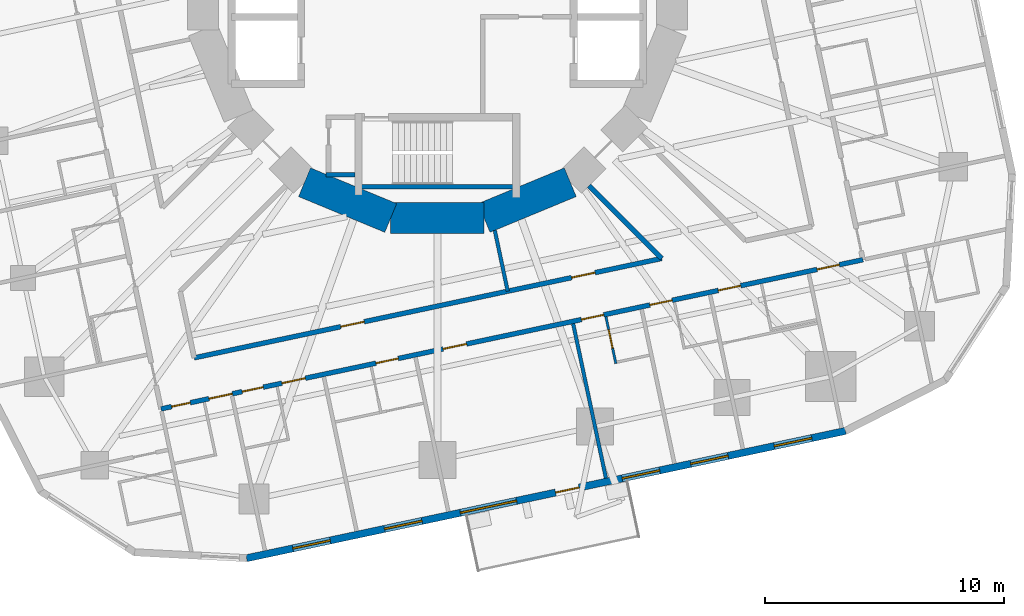
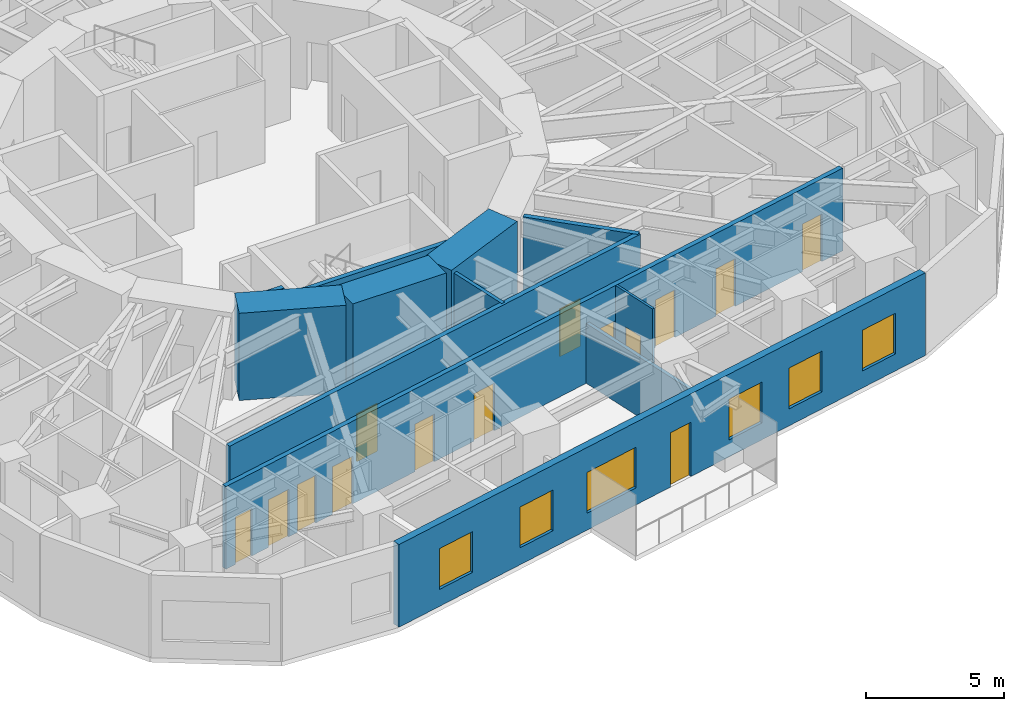
# One storey, part 5 of 14: 14 doors, 12 walls, 6 windows, 20 openings.
"""IFC4 building model written with IfcOpenShell, lengths in metres."""

from ifc_helpers import new_model, si_unit, direction, frame, frame_2d, origin, place, context, subcontext, project, spatial, rectangle, extrude, material, layer, layer_set, type_object, element, fill, save


model = new_model("IFC4")

# Units and contexts
model_context = context("Model", 3, precision=1e-05, world=origin(), true_north=direction((0.0, 1.0)))
body_context = subcontext(model_context, "Body", "Model", "MODEL_VIEW")
ifc_project = project(units=[si_unit("LENGTHUNIT", "METRE"), si_unit("AREAUNIT", "SQUARE_METRE"), si_unit("VOLUMEUNIT", "CUBIC_METRE"), si_unit("PLANEANGLEUNIT", "RADIAN"), si_unit("MASSUNIT", "GRAM", prefix="KILO")], contexts=[model_context])

# Site, building, storey
site_placement = place(None, origin())
site = spatial("IfcSite", under=ifc_project, at=site_placement, CompositionType="ELEMENT")
building_placement = place(site_placement, origin())
building = spatial("IfcBuilding", under=site, at=building_placement, Name="Nakasero Lantern House", CompositionType="ELEMENT")
storey_placement = place(building_placement, frame((0.0, 0.0, 116.550048828125)))
storey = spatial("IfcBuildingStorey", under=building, at=storey_placement, Name="L28", CompositionType="ELEMENT", Elevation=116.550048828125)

# Walls
ifc_material_1 = material(Name="Concrete C50/60", Category="concrete")
ifc_layer_1 = layer(ifc_material_1, 1.300048828125)
ifc_layer_set_1 = layer_set([ifc_layer_1], Name="Core wall 1300")
wall_type_1 = type_object("IfcWallType", Name="Core wall 1300", PredefinedType="SHEAR", material=ifc_layer_set_1)
for number, where, z_axis, x_axis, name in (
    (1, (-5.5556640625, -8.314697265625, 0.0), (0.0, 0.0, 1.0), (0.923876507187, -0.382690736062, 0.0), "Core wall L28 facet 11"),
    (2, (-1.950927734375, -9.807861328125, 0.0), (0.0, 0.0, 1.0), (1.0, 0.0, 0.0), "Core wall L28 facet 12"),
    (3, (1.950927734375, -9.807861328125, 0.0), (0.0, 0.0, 1.0), (0.923876507187, 0.382690736062, 0.0), "Core wall L28 facet 13"),
):
    element("IfcWall", number, at=place(storey_placement, frame(where, z_axis=z_axis, x_axis=x_axis)), inside=storey, type_object=wall_type_1, Name=name, PredefinedType="SHEAR", context=body_context, shape_type="SweptSolid", body=[
        extrude(rectangle(XDim=3.90185546875, YDim=1.300048828125, at=frame_2d((1.950927734375, 0.0))), origin(), (0.0, 0.0, 1.0), 3.849853515625),
    ])

# Wall, openings, doors
ifc_material_2 = material(Name="Blockwork", Category="masonry")
ifc_layer_2 = layer(ifc_material_2, 0.199951171875)
ifc_layer_set_2 = layer_set([ifc_layer_2], Name="Corridor wall 200")
wall_type_2 = type_object("IfcWallType", Name="Corridor wall 200", PredefinedType="PARTITIONING", material=ifc_layer_set_2)
wall_1_placement = place(storey_placement, frame((-11.553466796875, -17.790771484375, 0.0), z_axis=(0.0, 0.0, 1.0), x_axis=(0.978147639417, 0.207911508826, 0.0)))
wall_1 = element("IfcWall", 4, at=wall_1_placement, inside=storey, type_object=wall_type_2, Name="Corridor wall L28 CW3", PredefinedType="PARTITIONING", context=body_context, shape_type="SweptSolid", body=[
    extrude(rectangle(XDim=29.999755859375, YDim=0.199951171875, at=frame_2d((15.0, 0.0))), origin(), (0.0, 0.0, 1.0), 3.64990234375),
])
opening_1_placement = place(wall_1_placement, frame((0.449951171875, 0.0, 0.0)))
opening_1 = element("IfcOpeningElement", 5, at=opening_1_placement, cuts=wall_1, Name="Opening D15", PredefinedType="OPENING", context=body_context, shape_type="SweptSolid", body=[
    extrude(rectangle(XDim=0.800048828125, YDim=2.10009765625, at=frame_2d((0.39990234375, 1.050048828125))), frame((0.0, 0.119873046875, 0.0), z_axis=(0.0, -1.0, 0.0), x_axis=(1.0, 0.0, 0.0)), (0.0, 0.0, 1.0), 0.239990234375),
])
opening_2_placement = place(wall_1_placement, frame((2.050048828125, 0.0, 0.0)))
opening_2 = element("IfcOpeningElement", 6, at=opening_2_placement, cuts=wall_1, Name="Opening D07", PredefinedType="OPENING", context=body_context, shape_type="SweptSolid", body=[
    extrude(rectangle(XDim=1.0, YDim=2.10009765625, at=frame_2d((0.5, 1.050048828125))), frame((0.0, 0.119873046875, 0.0), z_axis=(0.0, -1.0, 0.0), x_axis=(1.0, 0.0, 0.0)), (0.0, 0.0, 1.0), 0.239990234375),
])
opening_3_placement = place(wall_1_placement, frame((3.466064453125, 0.0, 0.0)))
opening_3 = element("IfcOpeningElement", 7, at=opening_3_placement, cuts=wall_1, Name="Opening D16", PredefinedType="OPENING", context=body_context, shape_type="SweptSolid", body=[
    extrude(rectangle(XDim=0.89990234375, YDim=2.10009765625, at=frame_2d((0.449951171875, 1.050048828125))), frame((0.0, 0.119873046875, 0.0), z_axis=(0.0, -1.0, 0.0), x_axis=(1.0, 0.0, 0.0)), (0.0, 0.0, 1.0), 0.239990234375),
])
opening_4_placement = place(wall_1_placement, frame((5.166015625, 0.0, 0.0)))
opening_4 = element("IfcOpeningElement", 8, at=opening_4_placement, cuts=wall_1, Name="Opening D07", PredefinedType="OPENING", context=body_context, shape_type="SweptSolid", body=[
    extrude(rectangle(XDim=1.0, YDim=2.10009765625, at=frame_2d((0.5, 1.050048828125))), frame((0.0, 0.119873046875, 0.0), z_axis=(0.0, -1.0, 0.0), x_axis=(1.0, 0.0, 0.0)), (0.0, 0.0, 1.0), 0.239990234375),
])
opening_5_placement = place(wall_1_placement, frame((9.185546875, 0.0, 0.0)))
opening_5 = element("IfcOpeningElement", 9, at=opening_5_placement, cuts=wall_1, Name="Opening D01", PredefinedType="OPENING", context=body_context, shape_type="SweptSolid", body=[
    extrude(rectangle(XDim=0.949951171875, YDim=2.10009765625, at=frame_2d((0.47509765625, 1.050048828125))), frame((0.0, 0.119873046875, 0.0), z_axis=(0.0, -1.0, 0.0), x_axis=(1.0, 0.0, 0.0)), (0.0, 0.0, 1.0), 0.239990234375),
])
opening_6_placement = place(wall_1_placement, frame((17.967529296875, 0.0, 0.0)))
opening_6 = element("IfcOpeningElement", 10, at=opening_6_placement, cuts=wall_1, Name="Opening D01", PredefinedType="OPENING", context=body_context, shape_type="SweptSolid", body=[
    extrude(rectangle(XDim=0.949951171875, YDim=2.10009765625, at=frame_2d((0.47509765625, 1.050048828125))), frame((0.0, 0.119873046875, 0.0), z_axis=(0.0, -1.0, 0.0), x_axis=(1.0, 0.0, 0.0)), (0.0, 0.0, 1.0), 0.239990234375),
])
opening_7_placement = place(wall_1_placement, frame((20.89404296875, 0.0, 0.0)))
opening_7 = element("IfcOpeningElement", 11, at=opening_7_placement, cuts=wall_1, Name="Opening D01", PredefinedType="OPENING", context=body_context, shape_type="SweptSolid", body=[
    extrude(rectangle(XDim=0.949951171875, YDim=2.10009765625, at=frame_2d((0.47509765625, 1.050048828125))), frame((0.0, 0.119873046875, 0.0), z_axis=(0.0, -1.0, 0.0), x_axis=(1.0, 0.0, 0.0)), (0.0, 0.0, 1.0), 0.239990234375),
])
opening_8_placement = place(wall_1_placement, frame((23.8203125, 0.0, 0.0)))
opening_8 = element("IfcOpeningElement", 12, at=opening_8_placement, cuts=wall_1, Name="Opening D01", PredefinedType="OPENING", context=body_context, shape_type="SweptSolid", body=[
    extrude(rectangle(XDim=0.949951171875, YDim=2.10009765625, at=frame_2d((0.47509765625, 1.050048828125))), frame((0.0, 0.119873046875, 0.0), z_axis=(0.0, -1.0, 0.0), x_axis=(1.0, 0.0, 0.0)), (0.0, 0.0, 1.0), 0.239990234375),
])
opening_9_placement = place(wall_1_placement, frame((28.038330078125, 0.0, 0.0)))
opening_9 = element("IfcOpeningElement", 13, at=opening_9_placement, cuts=wall_1, Name="Opening D01", PredefinedType="OPENING", context=body_context, shape_type="SweptSolid", body=[
    extrude(rectangle(XDim=0.949951171875, YDim=2.10009765625, at=frame_2d((0.47509765625, 1.050048828125))), frame((0.0, 0.119873046875, 0.0), z_axis=(0.0, -1.0, 0.0), x_axis=(1.0, 0.0, 0.0)), (0.0, 0.0, 1.0), 0.239990234375),
])
opening_10_placement = place(wall_1_placement, frame((12.05517578125, 0.0, 0.0)))
opening_10 = element("IfcOpeningElement", 14, at=opening_10_placement, cuts=wall_1, Name="Opening D03", PredefinedType="OPENING", context=body_context, shape_type="SweptSolid", body=[
    extrude(rectangle(XDim=1.0, YDim=2.10009765625, at=frame_2d((0.5, 1.050048828125))), frame((0.0, 0.119873046875, 0.0), z_axis=(0.0, -1.0, 0.0), x_axis=(1.0, 0.0, 0.0)), (0.0, 0.0, 1.0), 0.239990234375),
])
ifc_material_3 = material(Name="Timber C24", Category="wood")
door_type_1 = type_object("IfcDoorType", Name="Accessible WC door 900", OperationType="SINGLE_SWING_RIGHT", PredefinedType="DOOR", material=ifc_material_3)
door_1_placement = place(opening_3_placement, origin())
door_1 = element("IfcDoor", 15, at=door_1_placement, inside=storey, type_object=door_type_1, Name="Door L28 DS3-01", OperationType="SINGLE_SWING_LEFT", OverallHeight=2.10009765625, OverallWidth=0.89990234375, PredefinedType="DOOR", context=body_context, shape_type="SweptSolid", body=[
    extrude(rectangle(XDim=0.89990234375, YDim=2.10009765625, at=frame_2d((0.449951171875, 1.050048828125))), frame((0.0, 0.02490234375, 0.0), z_axis=(0.0, -1.0, 0.0), x_axis=(1.0, 0.0, 0.0)), (0.0, 0.0, 1.0), 0.050048828125),
])
fill(opening_3, door_1)
ifc_material_4 = material(Name="Timber C24", Category="wood")
door_type_2 = type_object("IfcDoorType", Name="Bedroom door FD30S 950", OperationType="SINGLE_SWING_LEFT", PredefinedType="DOOR", material=ifc_material_4)
door_2_placement = place(opening_5_placement, origin())
door_2 = element("IfcDoor", 16, at=door_2_placement, inside=storey, type_object=door_type_2, Name="Door L28 D3-02", OperationType="SINGLE_SWING_LEFT", OverallHeight=2.10009765625, OverallWidth=0.949951171875, PredefinedType="DOOR", context=body_context, shape_type="SweptSolid", body=[
    extrude(rectangle(XDim=0.949951171875, YDim=2.10009765625, at=frame_2d((0.47509765625, 1.050048828125))), frame((0.0, 0.02490234375, 0.0), z_axis=(0.0, -1.0, 0.0), x_axis=(1.0, 0.0, 0.0)), (0.0, 0.0, 1.0), 0.050048828125),
])
fill(opening_5, door_2)
door_3_placement = place(opening_6_placement, origin())
door_3 = element("IfcDoor", 17, at=door_3_placement, inside=storey, type_object=door_type_2, Name="Door L28 D3-05", OperationType="SINGLE_SWING_RIGHT", OverallHeight=2.10009765625, OverallWidth=0.949951171875, PredefinedType="DOOR", context=body_context, shape_type="SweptSolid", body=[
    extrude(rectangle(XDim=0.949951171875, YDim=2.10009765625, at=frame_2d((0.47509765625, 1.050048828125))), frame((0.0, 0.02490234375, 0.0), z_axis=(0.0, -1.0, 0.0), x_axis=(1.0, 0.0, 0.0)), (0.0, 0.0, 1.0), 0.050048828125),
])
fill(opening_6, door_3)
door_4_placement = place(opening_7_placement, origin())
door_4 = element("IfcDoor", 18, at=door_4_placement, inside=storey, type_object=door_type_2, Name="Door L28 D3-06", OperationType="SINGLE_SWING_RIGHT", OverallHeight=2.10009765625, OverallWidth=0.949951171875, PredefinedType="DOOR", context=body_context, shape_type="SweptSolid", body=[
    extrude(rectangle(XDim=0.949951171875, YDim=2.10009765625, at=frame_2d((0.47509765625, 1.050048828125))), frame((0.0, 0.02490234375, 0.0), z_axis=(0.0, -1.0, 0.0), x_axis=(1.0, 0.0, 0.0)), (0.0, 0.0, 1.0), 0.050048828125),
])
fill(opening_7, door_4)
door_5_placement = place(opening_8_placement, origin())
door_5 = element("IfcDoor", 19, at=door_5_placement, inside=storey, type_object=door_type_2, Name="Door L28 D3-07", OperationType="SINGLE_SWING_RIGHT", OverallHeight=2.10009765625, OverallWidth=0.949951171875, PredefinedType="DOOR", context=body_context, shape_type="SweptSolid", body=[
    extrude(rectangle(XDim=0.949951171875, YDim=2.10009765625, at=frame_2d((0.47509765625, 1.050048828125))), frame((0.0, 0.02490234375, 0.0), z_axis=(0.0, -1.0, 0.0), x_axis=(1.0, 0.0, 0.0)), (0.0, 0.0, 1.0), 0.050048828125),
])
fill(opening_8, door_5)
door_6_placement = place(opening_9_placement, origin())
door_6 = element("IfcDoor", 20, at=door_6_placement, inside=storey, type_object=door_type_2, Name="Door L28 D3-08", OperationType="SINGLE_SWING_RIGHT", OverallHeight=2.10009765625, OverallWidth=0.949951171875, PredefinedType="DOOR", context=body_context, shape_type="SweptSolid", body=[
    extrude(rectangle(XDim=0.949951171875, YDim=2.10009765625, at=frame_2d((0.47509765625, 1.050048828125))), frame((0.0, 0.02490234375, 0.0), z_axis=(0.0, -1.0, 0.0), x_axis=(1.0, 0.0, 0.0)), (0.0, 0.0, 1.0), 0.050048828125),
])
fill(opening_9, door_6)
ifc_material_5 = material(Name="Timber C24", Category="wood")
door_type_3 = type_object("IfcDoorType", Name="Cleaner's store door FD30S 800", OperationType="SINGLE_SWING_LEFT", PredefinedType="DOOR", material=ifc_material_5)
door_7_placement = place(opening_1_placement, origin())
door_7 = element("IfcDoor", 21, at=door_7_placement, inside=storey, type_object=door_type_3, Name="Door L28 DS3-00", OperationType="SINGLE_SWING_LEFT", OverallHeight=2.10009765625, OverallWidth=0.800048828125, PredefinedType="DOOR", context=body_context, shape_type="SweptSolid", body=[
    extrude(rectangle(XDim=0.800048828125, YDim=2.10009765625, at=frame_2d((0.39990234375, 1.050048828125))), frame((0.0, 0.02490234375, 0.0), z_axis=(0.0, -1.0, 0.0), x_axis=(1.0, 0.0, 0.0)), (0.0, 0.0, 1.0), 0.050048828125),
])
fill(opening_1, door_7)
ifc_material_6 = material(Name="Timber C24", Category="wood")
door_type_4 = type_object("IfcDoorType", Name="Lounge door FD30S 1000", OperationType="SINGLE_SWING_LEFT", PredefinedType="DOOR", material=ifc_material_6)
door_8_placement = place(opening_10_placement, origin())
door_8 = element("IfcDoor", 22, at=door_8_placement, inside=storey, type_object=door_type_4, Name="Door L28 DK3", OperationType="SINGLE_SWING_LEFT", OverallHeight=2.10009765625, OverallWidth=1.0, PredefinedType="DOOR", context=body_context, shape_type="SweptSolid", body=[
    extrude(rectangle(XDim=1.0, YDim=2.10009765625, at=frame_2d((0.5, 1.050048828125))), frame((0.0, 0.02490234375, 0.0), z_axis=(0.0, -1.0, 0.0), x_axis=(1.0, 0.0, 0.0)), (0.0, 0.0, 1.0), 0.050048828125),
])
fill(opening_10, door_8)
ifc_material_7 = material(Name="Timber C24", Category="wood")
door_type_5 = type_object("IfcDoorType", Name="Room door FD30S 1000", OperationType="SINGLE_SWING_LEFT", PredefinedType="DOOR", material=ifc_material_7)
door_9_placement = place(opening_2_placement, origin())
door_9 = element("IfcDoor", 23, at=door_9_placement, inside=storey, type_object=door_type_5, Name="Door L28 D3-00", OperationType="SINGLE_SWING_LEFT", OverallHeight=2.10009765625, OverallWidth=1.0, PredefinedType="DOOR", context=body_context, shape_type="SweptSolid", body=[
    extrude(rectangle(XDim=1.0, YDim=2.10009765625, at=frame_2d((0.5, 1.050048828125))), frame((0.0, 0.02490234375, 0.0), z_axis=(0.0, -1.0, 0.0), x_axis=(1.0, 0.0, 0.0)), (0.0, 0.0, 1.0), 0.050048828125),
])
fill(opening_2, door_9)
door_10_placement = place(opening_4_placement, origin())
door_10 = element("IfcDoor", 24, at=door_10_placement, inside=storey, type_object=door_type_5, Name="Door L28 D3-01", OperationType="SINGLE_SWING_LEFT", OverallHeight=2.10009765625, OverallWidth=1.0, PredefinedType="DOOR", context=body_context, shape_type="SweptSolid", body=[
    extrude(rectangle(XDim=1.0, YDim=2.10009765625, at=frame_2d((0.5, 1.050048828125))), frame((0.0, 0.02490234375, 0.0), z_axis=(0.0, -1.0, 0.0), x_axis=(1.0, 0.0, 0.0)), (0.0, 0.0, 1.0), 0.050048828125),
])
fill(opening_4, door_10)

wall_2_placement = place(storey_placement, frame((-10.1669921875, -15.656005859375, 0.0), z_axis=(0.0, 0.0, 1.0), x_axis=(0.978147920132, 0.20791018816, 0.0)))
wall_2 = element("IfcWall", 25, at=wall_2_placement, inside=storey, type_object=wall_type_2, Name="Corridor wall L28 IW3-0", PredefinedType="PARTITIONING", context=body_context, shape_type="SweptSolid", body=[
    extrude(rectangle(XDim=19.983642578125, YDim=0.199951171875, at=frame_2d((9.99169921875, 0.0))), origin(), (0.0, 0.0, 1.0), 3.64990234375),
])
opening_11_placement = place(wall_2_placement, frame((6.262451171875, 0.0, 0.0)))
opening_11 = element("IfcOpeningElement", 26, at=opening_11_placement, cuts=wall_2, Name="Opening D07", PredefinedType="OPENING", context=body_context, shape_type="SweptSolid", body=[
    extrude(rectangle(XDim=1.0, YDim=2.10009765625, at=frame_2d((0.5, 1.050048828125))), frame((0.0, 0.119873046875, 0.0), z_axis=(0.0, -1.0, 0.0), x_axis=(1.0, 0.0, 0.0)), (0.0, 0.0, 1.0), 0.239990234375),
])
opening_12_placement = place(wall_2_placement, frame((16.12939453125, 0.0, 0.0)))
opening_12 = element("IfcOpeningElement", 27, at=opening_12_placement, cuts=wall_2, Name="Opening D07", PredefinedType="OPENING", context=body_context, shape_type="SweptSolid", body=[
    extrude(rectangle(XDim=1.0, YDim=2.10009765625, at=frame_2d((0.5, 1.050048828125))), frame((0.0, 0.119873046875, 0.0), z_axis=(0.0, -1.0, 0.0), x_axis=(1.0, 0.0, 0.0)), (0.0, 0.0, 1.0), 0.239990234375),
])
door_11_placement = place(opening_11_placement, origin())
door_11 = element("IfcDoor", 28, at=door_11_placement, inside=storey, type_object=door_type_5, Name="Door L28 DI1", OperationType="SINGLE_SWING_LEFT", OverallHeight=2.10009765625, OverallWidth=1.0, PredefinedType="DOOR", context=body_context, shape_type="SweptSolid", body=[
    extrude(rectangle(XDim=1.0, YDim=2.10009765625, at=frame_2d((0.5, 1.050048828125))), frame((0.0, 0.02490234375, 0.0), z_axis=(0.0, -1.0, 0.0), x_axis=(1.0, 0.0, 0.0)), (0.0, 0.0, 1.0), 0.050048828125),
])
fill(opening_11, door_11)
door_12_placement = place(opening_12_placement, origin())
door_12 = element("IfcDoor", 29, at=door_12_placement, inside=storey, type_object=door_type_5, Name="Door L28 DI2", OperationType="SINGLE_SWING_RIGHT", OverallHeight=2.10009765625, OverallWidth=1.0, PredefinedType="DOOR", context=body_context, shape_type="SweptSolid", body=[
    extrude(rectangle(XDim=1.0, YDim=2.10009765625, at=frame_2d((0.5, 1.050048828125))), frame((0.0, 0.02490234375, 0.0), z_axis=(0.0, -1.0, 0.0), x_axis=(1.0, 0.0, 0.0)), (0.0, 0.0, 1.0), 0.050048828125),
])
fill(opening_12, door_12)

# Wall
wall_3_placement = place(storey_placement, frame((6.334228515625, -8.45556640625, 0.0), z_axis=(0.0, 0.0, 1.0), x_axis=(0.707106781187, -0.707106781187, 0.0)))
element("IfcWall", 30, at=wall_3_placement, inside=storey, type_object=wall_type_2, Name="Corridor wall L28 PS14b", PredefinedType="PARTITIONING", context=body_context, shape_type="SweptSolid", body=[
    extrude(rectangle(XDim=4.30712890625, YDim=0.199951171875, at=frame_2d((2.153564453125, 0.0))), origin(), (0.0, 0.0, 1.0), 3.64990234375),
])

# Wall, opening, door
ifc_material_8 = material(Name="Blockwork", Category="masonry")
ifc_layer_3 = layer(ifc_material_8, 0.10009765625)
ifc_layer_set_3 = layer_set([ifc_layer_3], Name="En-suite wall 100")
wall_type_3 = type_object("IfcWallType", Name="En-suite wall 100", PredefinedType="PARTITIONING", material=ifc_layer_set_3)
wall_4_placement = place(storey_placement, frame((7.046142578125, -13.939697265625, 0.0), z_axis=(0.0, 0.0, 1.0), x_axis=(0.207886494942, -0.978152955943, 0.0)))
wall_4 = element("IfcWall", 31, at=wall_4_placement, inside=storey, type_object=wall_type_3, Name="En-suite wall L28 ES3-05", PredefinedType="PARTITIONING", context=body_context, shape_type="SweptSolid", body=[
    extrude(rectangle(XDim=2.0, YDim=0.10009765625, at=frame_2d((1.0, 0.0))), origin(), (0.0, 0.0, 1.0), 3.64990234375),
])
opening_13_placement = place(wall_4_placement, frame((0.550048828125, 0.0, 0.0)))
opening_13 = element("IfcOpeningElement", 32, at=opening_13_placement, cuts=wall_4, Name="Opening D02", PredefinedType="OPENING", context=body_context, shape_type="SweptSolid", body=[
    extrude(rectangle(XDim=0.800048828125, YDim=2.10009765625, at=frame_2d((0.39990234375, 1.050048828125))), frame((0.0, 0.070068359375, 0.0), z_axis=(0.0, -1.0, 0.0), x_axis=(1.0, 0.0, 0.0)), (0.0, 0.0, 1.0), 0.14013671875),
])
ifc_material_9 = material(Name="Timber C24", Category="wood")
door_type_6 = type_object("IfcDoorType", Name="En-suite door 800", OperationType="SINGLE_SWING_RIGHT", PredefinedType="DOOR", material=ifc_material_9)
door_13_placement = place(opening_13_placement, origin())
door_13 = element("IfcDoor", 33, at=door_13_placement, inside=storey, type_object=door_type_6, Name="Door L28 DE3-05", OperationType="SINGLE_SWING_LEFT", OverallHeight=2.10009765625, OverallWidth=0.800048828125, PredefinedType="DOOR", context=body_context, shape_type="SweptSolid", body=[
    extrude(rectangle(XDim=0.800048828125, YDim=2.10009765625, at=frame_2d((0.39990234375, 1.050048828125))), frame((0.0, 0.02490234375, 0.0), z_axis=(0.0, -1.0, 0.0), x_axis=(1.0, 0.0, 0.0)), (0.0, 0.0, 1.0), 0.050048828125),
])
fill(opening_13, door_13)

# Wall, openings, door, windows
ifc_material_10 = material(Name="Aluminium rainscreen on blockwork", Category="masonry")
ifc_layer_4 = layer(ifc_material_10, 0.300048828125)
ifc_layer_set_4 = layer_set([ifc_layer_4], Name="Facade wall 300")
wall_type_4 = type_object("IfcWallType", Name="Facade wall 300", PredefinedType="SOLIDWALL", material=ifc_layer_set_4)
wall_5_placement = place(storey_placement, frame((-7.9775390625, -24.03369140625, 0.0), z_axis=(0.0, 0.0, 1.0), x_axis=(0.978148160964, 0.207909055127, 0.0)))
wall_5 = element("IfcWall", 34, at=wall_5_placement, inside=storey, type_object=wall_type_4, Name="Facade wall L28 FW3S", PredefinedType="SOLIDWALL", context=body_context, shape_type="SweptSolid", body=[
    extrude(rectangle(XDim=25.60009765625, YDim=0.300048828125, at=frame_2d((12.800048828125, 0.0))), origin(), (0.0, 0.0, 1.0), 3.64990234375),
])
opening_14_placement = place(wall_5_placement, frame((1.975830078125, 0.0, 0.75)))
opening_14 = element("IfcOpeningElement", 35, at=opening_14_placement, cuts=wall_5, Name="Opening W01", PredefinedType="OPENING", context=body_context, shape_type="SweptSolid", body=[
    extrude(rectangle(XDim=1.60009765625, YDim=1.800048828125, at=frame_2d((0.800048828125, 0.89990234375))), frame((0.0, 0.169921875, 0.0), z_axis=(0.0, -1.0, 0.0), x_axis=(1.0, 0.0, 0.0)), (0.0, 0.0, 1.0), 0.340087890625),
])
opening_15_placement = place(wall_5_placement, frame((5.8955078125, 0.0, 0.75)))
opening_15 = element("IfcOpeningElement", 36, at=opening_15_placement, cuts=wall_5, Name="Opening W01", PredefinedType="OPENING", context=body_context, shape_type="SweptSolid", body=[
    extrude(rectangle(XDim=1.60009765625, YDim=1.800048828125, at=frame_2d((0.800048828125, 0.89990234375))), frame((0.0, 0.169921875, 0.0), z_axis=(0.0, -1.0, 0.0), x_axis=(1.0, 0.0, 0.0)), (0.0, 0.0, 1.0), 0.340087890625),
])
opening_16_placement = place(wall_5_placement, frame((16.0556640625, 0.0, 0.75)))
opening_16 = element("IfcOpeningElement", 37, at=opening_16_placement, cuts=wall_5, Name="Opening W01", PredefinedType="OPENING", context=body_context, shape_type="SweptSolid", body=[
    extrude(rectangle(XDim=1.60009765625, YDim=1.800048828125, at=frame_2d((0.800048828125, 0.89990234375))), frame((0.0, 0.169921875, 0.0), z_axis=(0.0, -1.0, 0.0), x_axis=(1.0, 0.0, 0.0)), (0.0, 0.0, 1.0), 0.340087890625),
])
opening_17_placement = place(wall_5_placement, frame((18.982177734375, 0.0, 0.75)))
opening_17 = element("IfcOpeningElement", 38, at=opening_17_placement, cuts=wall_5, Name="Opening W01", PredefinedType="OPENING", context=body_context, shape_type="SweptSolid", body=[
    extrude(rectangle(XDim=1.60009765625, YDim=1.800048828125, at=frame_2d((0.800048828125, 0.89990234375))), frame((0.0, 0.169921875, 0.0), z_axis=(0.0, -1.0, 0.0), x_axis=(1.0, 0.0, 0.0)), (0.0, 0.0, 1.0), 0.340087890625),
])
opening_18_placement = place(wall_5_placement, frame((22.554443359375, 0.0, 0.75)))
opening_18 = element("IfcOpeningElement", 39, at=opening_18_placement, cuts=wall_5, Name="Opening W01", PredefinedType="OPENING", context=body_context, shape_type="SweptSolid", body=[
    extrude(rectangle(XDim=1.60009765625, YDim=1.800048828125, at=frame_2d((0.800048828125, 0.89990234375))), frame((0.0, 0.169921875, 0.0), z_axis=(0.0, -1.0, 0.0), x_axis=(1.0, 0.0, 0.0)), (0.0, 0.0, 1.0), 0.340087890625),
])
opening_19_placement = place(wall_5_placement, frame((9.139404296875, 0.0, 0.75)))
opening_19 = element("IfcOpeningElement", 40, at=opening_19_placement, cuts=wall_5, Name="Opening W03", PredefinedType="OPENING", context=body_context, shape_type="SweptSolid", body=[
    extrude(rectangle(XDim=2.39990234375, YDim=1.800048828125, at=frame_2d((1.199951171875, 0.89990234375))), frame((0.0, 0.169921875, 0.0), z_axis=(0.0, -1.0, 0.0), x_axis=(1.0, 0.0, 0.0)), (0.0, 0.0, 1.0), 0.340087890625),
])
opening_20_placement = place(wall_5_placement, frame((13.208251953125, 0.0, 0.0)))
opening_20 = element("IfcOpeningElement", 41, at=opening_20_placement, cuts=wall_5, Name="Opening D04", PredefinedType="OPENING", context=body_context, shape_type="SweptSolid", body=[
    extrude(rectangle(XDim=1.0, YDim=2.39990234375, at=frame_2d((0.5, 1.199951171875))), frame((0.0, 0.169921875, 0.0), z_axis=(0.0, -1.0, 0.0), x_axis=(1.0, 0.0, 0.0)), (0.0, 0.0, 1.0), 0.340087890625),
])
ifc_material_11 = material(Name="Aluminium 6063-T6 and glass", Category="aluminium")
door_type_7 = type_object("IfcDoorType", Name="Balcony door 1000x2400", OperationType="SINGLE_SWING_RIGHT", PredefinedType="DOOR", material=ifc_material_11)
door_14_placement = place(opening_20_placement, origin())
door_14 = element("IfcDoor", 42, at=door_14_placement, inside=storey, type_object=door_type_7, Name="Balcony door L28 DB3", OperationType="SINGLE_SWING_RIGHT", OverallHeight=2.39990234375, OverallWidth=1.0, PredefinedType="DOOR", context=body_context, shape_type="SweptSolid", body=[
    extrude(rectangle(XDim=1.0, YDim=2.39990234375, at=frame_2d((0.5, 1.199951171875))), frame((0.0, 0.02490234375, 0.0), z_axis=(0.0, -1.0, 0.0), x_axis=(1.0, 0.0, 0.0)), (0.0, 0.0, 1.0), 0.050048828125),
])
fill(opening_20, door_14)
ifc_material_12 = material(Name="Aluminium 6063-T6 and glass", Category="aluminium")
window_type_1 = type_object("IfcWindowType", Name="Bedroom window 1600x1800", PartitioningType="SINGLE_PANEL", PredefinedType="WINDOW", material=ifc_material_12)
window_1_placement = place(opening_14_placement, origin())
window_1 = element("IfcWindow", 43, at=window_1_placement, inside=storey, type_object=window_type_1, Name="Window L28 WN3-01", OverallHeight=1.800048828125, OverallWidth=1.60009765625, PartitioningType="SINGLE_PANEL", PredefinedType="WINDOW", context=body_context, shape_type="SweptSolid", body=[
    extrude(rectangle(XDim=1.60009765625, YDim=1.800048828125, at=frame_2d((0.800048828125, 0.89990234375))), frame((0.0, 0.030029296875, 0.0), z_axis=(0.0, -1.0, 0.0), x_axis=(1.0, 0.0, 0.0)), (0.0, 0.0, 1.0), 0.06005859375),
])
fill(opening_14, window_1)
window_2_placement = place(opening_15_placement, origin())
window_2 = element("IfcWindow", 44, at=window_2_placement, inside=storey, type_object=window_type_1, Name="Window L28 WN3-02", OverallHeight=1.800048828125, OverallWidth=1.60009765625, PartitioningType="SINGLE_PANEL", PredefinedType="WINDOW", context=body_context, shape_type="SweptSolid", body=[
    extrude(rectangle(XDim=1.60009765625, YDim=1.800048828125, at=frame_2d((0.800048828125, 0.89990234375))), frame((0.0, 0.030029296875, 0.0), z_axis=(0.0, -1.0, 0.0), x_axis=(1.0, 0.0, 0.0)), (0.0, 0.0, 1.0), 0.06005859375),
])
fill(opening_15, window_2)
window_3_placement = place(opening_16_placement, origin())
window_3 = element("IfcWindow", 45, at=window_3_placement, inside=storey, type_object=window_type_1, Name="Window L28 WN3-05", OverallHeight=1.800048828125, OverallWidth=1.60009765625, PartitioningType="SINGLE_PANEL", PredefinedType="WINDOW", context=body_context, shape_type="SweptSolid", body=[
    extrude(rectangle(XDim=1.60009765625, YDim=1.800048828125, at=frame_2d((0.800048828125, 0.89990234375))), frame((0.0, 0.030029296875, 0.0), z_axis=(0.0, -1.0, 0.0), x_axis=(1.0, 0.0, 0.0)), (0.0, 0.0, 1.0), 0.06005859375),
])
fill(opening_16, window_3)
window_4_placement = place(opening_17_placement, origin())
window_4 = element("IfcWindow", 46, at=window_4_placement, inside=storey, type_object=window_type_1, Name="Window L28 WN3-06", OverallHeight=1.800048828125, OverallWidth=1.60009765625, PartitioningType="SINGLE_PANEL", PredefinedType="WINDOW", context=body_context, shape_type="SweptSolid", body=[
    extrude(rectangle(XDim=1.60009765625, YDim=1.800048828125, at=frame_2d((0.800048828125, 0.89990234375))), frame((0.0, 0.030029296875, 0.0), z_axis=(0.0, -1.0, 0.0), x_axis=(1.0, 0.0, 0.0)), (0.0, 0.0, 1.0), 0.06005859375),
])
fill(opening_17, window_4)
window_5_placement = place(opening_18_placement, origin())
window_5 = element("IfcWindow", 47, at=window_5_placement, inside=storey, type_object=window_type_1, Name="Window L28 WN3-07", OverallHeight=1.800048828125, OverallWidth=1.60009765625, PartitioningType="SINGLE_PANEL", PredefinedType="WINDOW", context=body_context, shape_type="SweptSolid", body=[
    extrude(rectangle(XDim=1.60009765625, YDim=1.800048828125, at=frame_2d((0.800048828125, 0.89990234375))), frame((0.0, 0.030029296875, 0.0), z_axis=(0.0, -1.0, 0.0), x_axis=(1.0, 0.0, 0.0)), (0.0, 0.0, 1.0), 0.06005859375),
])
fill(opening_18, window_5)
ifc_material_13 = material(Name="Aluminium 6063-T6 and glass", Category="aluminium")
window_type_2 = type_object("IfcWindowType", Name="Lounge window 2400x1800", PartitioningType="SINGLE_PANEL", PredefinedType="WINDOW", material=ifc_material_13)
window_6_placement = place(opening_19_placement, origin())
window_6 = element("IfcWindow", 48, at=window_6_placement, inside=storey, type_object=window_type_2, Name="Window L28 WK3", OverallHeight=1.800048828125, OverallWidth=2.39990234375, PartitioningType="SINGLE_PANEL", PredefinedType="WINDOW", context=body_context, shape_type="SweptSolid", body=[
    extrude(rectangle(XDim=2.39990234375, YDim=1.800048828125, at=frame_2d((1.199951171875, 0.89990234375))), frame((0.0, 0.030029296875, 0.0), z_axis=(0.0, -1.0, 0.0), x_axis=(1.0, 0.0, 0.0)), (0.0, 0.0, 1.0), 0.06005859375),
])
fill(opening_19, window_6)

# Walls
ifc_material_14 = material(Name="Blockwork", Category="masonry")
ifc_layer_5 = layer(ifc_material_14, 0.199951171875)
ifc_layer_set_5 = layer_set([ifc_layer_5], Name="Fire lobby wall 200")
wall_type_5 = type_object("IfcWallType", Name="Fire lobby wall 200", PredefinedType="PARTITIONING", material=ifc_layer_set_5)
wall_6_placement = place(storey_placement, frame((-3.449951171875, -8.0, 0.0), z_axis=(0.0, 0.0, 1.0), x_axis=(-1.0, 0.0, 0.0)))
element("IfcWall", 49, at=wall_6_placement, inside=storey, type_object=wall_type_5, Name="Fire lobby wall L28 W-RS2S", PredefinedType="PARTITIONING", context=body_context, shape_type="SweptSolid", body=[
    extrude(rectangle(XDim=1.199951171875, YDim=0.199951171875, at=frame_2d((0.60009765625, 0.0))), origin(), (0.0, 0.0, 1.0), 3.64990234375),
])
wall_7_placement = place(storey_placement, frame((-3.300048828125, -8.5, 0.0), z_axis=(0.0, 0.0, 1.0), x_axis=(1.0, 0.0, 0.0)))
element("IfcWall", 50, at=wall_7_placement, inside=storey, type_object=wall_type_5, Name="Fire lobby wall L28 W-STS", PredefinedType="PARTITIONING", context=body_context, shape_type="SweptSolid", body=[
    extrude(rectangle(XDim=6.60009765625, YDim=0.199951171875, at=frame_2d((3.300048828125, 0.0))), origin(), (0.0, 0.0, 1.0), 3.64990234375),
])
ifc_material_15 = material(Name="Blockwork", Category="masonry")
ifc_layer_6 = layer(ifc_material_15, 0.14990234375)
ifc_layer_set_6 = layer_set([ifc_layer_6], Name="Party wall 150")
wall_type_6 = type_object("IfcWallType", Name="Party wall 150", PredefinedType="PARTITIONING", material=ifc_layer_set_6)
wall_8_placement = place(storey_placement, frame((5.67529296875, -14.23095703125, 0.0), z_axis=(0.0, 0.0, 1.0), x_axis=(0.207924673876, -0.978144841009, 0.0)))
element("IfcWall", 51, at=wall_8_placement, inside=storey, type_object=wall_type_6, Name="Party wall L28 PW3-05", PredefinedType="PARTITIONING", context=body_context, shape_type="SweptSolid", body=[
    extrude(rectangle(XDim=6.60009765625, YDim=0.14990234375, at=frame_2d((3.300048828125, 0.0))), origin(), (0.0, 0.0, 1.0), 2.641845703125),
])
wall_9_placement = place(storey_placement, frame((2.940185546875, -12.869873046875, 0.0), z_axis=(0.0, 0.0, 1.0), x_axis=(-0.207996830597, 0.978129499842, 0.0)))
element("IfcWall", 52, at=wall_9_placement, inside=storey, type_object=wall_type_6, Name="Party wall L28 IM3", PredefinedType="PARTITIONING", context=body_context, shape_type="SweptSolid", body=[
    extrude(rectangle(XDim=2.60107421875, YDim=0.14990234375, at=frame_2d((1.300537109375, 0.0))), origin(), (0.0, 0.0, 1.0), 3.64990234375),
])

save(model, "model.ifc")
